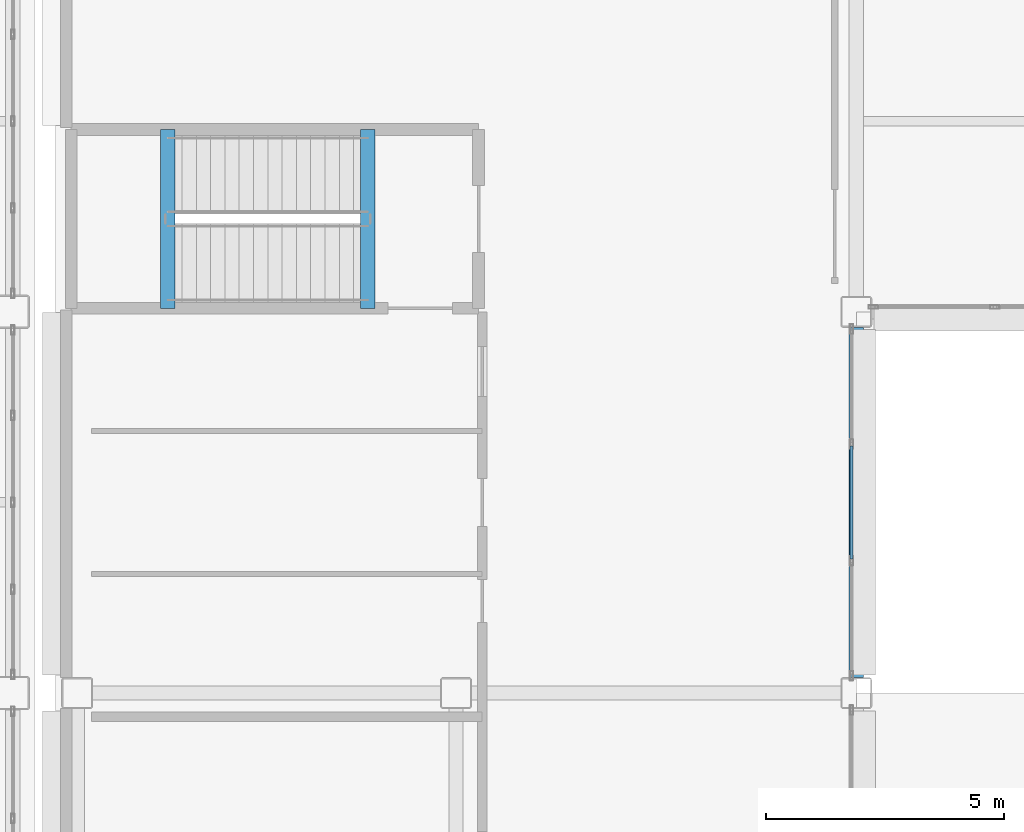
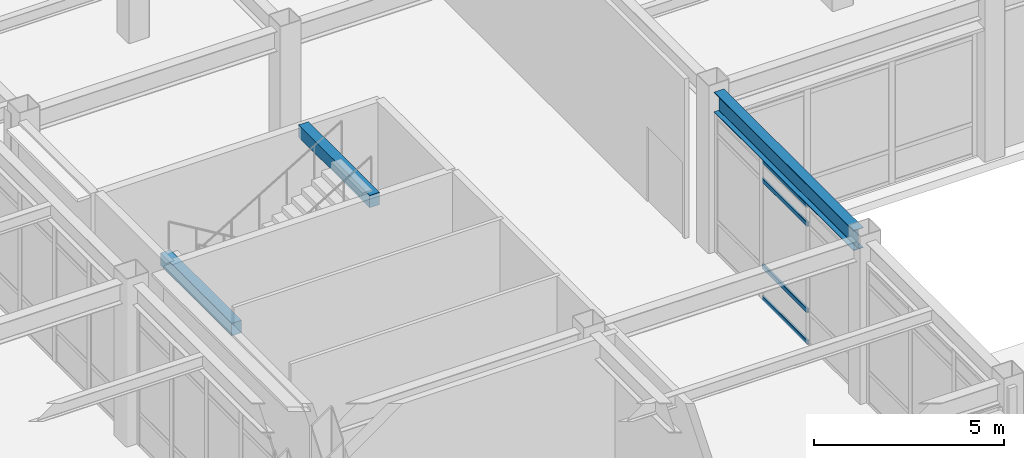
# One storey, part 37 of 165: 4 members, 3 beams, 1 element without a shape of its own.
"""IFC4 building model written with IfcOpenShell, lengths in metres."""

from ifc_helpers import new_model, si_unit, direction, frame, origin, origin_2d, place, context, subcontext, project, spatial, rectangle, hollow_rectangle, i_section, extrude, material, layer, layer_set, material_profile, profile_set, type_object, element, aggregate, save


model = new_model("IFC4")

# Units and contexts
model_context = context("Model", 3, precision=1e-05, world=origin(), true_north=direction((0.0, 1.0)))
body_context = subcontext(model_context, "Body", "Model", "MODEL_VIEW")
ifc_project = project(units=[si_unit("LENGTHUNIT", "METRE"), si_unit("AREAUNIT", "SQUARE_METRE"), si_unit("VOLUMEUNIT", "CUBIC_METRE"), si_unit("PLANEANGLEUNIT", "RADIAN"), si_unit("MASSUNIT", "GRAM", prefix="KILO")], contexts=[model_context])

# Site, building, storey
site_placement = place(None, origin())
site = spatial("IfcSite", under=ifc_project, at=site_placement, CompositionType="ELEMENT")
building_placement = place(site_placement, origin())
building = spatial("IfcBuilding", under=site, at=building_placement, Name="Kazehara Bluff Congress Hotel", CompositionType="ELEMENT")
storey_placement = place(building_placement, origin())
storey = spatial("IfcBuildingStorey", under=building, at=storey_placement, Name="L00", CompositionType="ELEMENT", Elevation=0.0)

# Curtain wall, members
ifc_material_1 = material(Name="Anodised aluminium", Category="aluminium")
ifc_layer = layer(ifc_material_1, 0.159912109375)
ifc_layer_set = layer_set([ifc_layer], Name="Anodised aluminium")
curtain_wall_type = type_object("IfcCurtainWallType", Name="TP-CW-52", PredefinedType="NOTDEFINED", material=ifc_layer_set)
curtain_wall_placement = place(storey_placement, origin())
curtain_wall = element("IfcCurtainWall", 1, at=curtain_wall_placement, inside=storey, type_object=curtain_wall_type, Name="L00 curtain wall CW-52 CW-ENC-V4-L00-7595-1200", PredefinedType="NOTDEFINED")
ifc_material_2 = material(Name="Anodised aluminium", Category="aluminium")
ifc_material_profile_1 = material_profile(ifc_material_2, hollow_rectangle(XDim=0.06494140625, YDim=0.139892578125, WallThickness=0.00390625, InnerFilletRadius=0.00390625, OuterFilletRadius=0.008056640625, at=origin_2d()))
ifc_profile_set_1 = profile_set([ifc_material_profile_1], Name="Anodised aluminium")
member_type = type_object("IfcMemberType", Name="TP-CWT-02", PredefinedType="USERDEFINED", material=ifc_profile_set_1)
member_1_placement = place(storey_placement, frame((75.949951171875, 13.18994140625, 0.032470703125), z_axis=(0.0, -1.0, 0.0), x_axis=(1.0, 0.0, 0.0)))
member_1 = element("IfcMember", 2, at=member_1_placement, type_object=member_type, Name="CW-52 transom 2.1", ObjectType="TRANSOM", PredefinedType="USERDEFINED", context=body_context, shape_type="SweptSolid", body=[
    extrude(hollow_rectangle(XDim=0.06494140625, YDim=0.139892578125, WallThickness=0.00390625, InnerFilletRadius=0.00390625, OuterFilletRadius=0.008056640625, at=origin_2d()), origin(), (0.0, 0.0, 1.0), 2.3798828125),
])
member_2_placement = place(storey_placement, frame((75.949951171875, 13.18994140625, 1.050048828125), z_axis=(0.0, -1.0, 0.0), x_axis=(1.0, 0.0, 0.0)))
member_2 = element("IfcMember", 3, at=member_2_placement, type_object=member_type, Name="CW-52 transom 2.2", ObjectType="TRANSOM", PredefinedType="USERDEFINED", context=body_context, shape_type="SweptSolid", body=[
    extrude(hollow_rectangle(XDim=0.06494140625, YDim=0.139892578125, WallThickness=0.00390625, InnerFilletRadius=0.00390625, OuterFilletRadius=0.008056640625, at=origin_2d()), origin(), (0.0, 0.0, 1.0), 2.3798828125),
])
member_3_placement = place(storey_placement, frame((75.949951171875, 13.18994140625, 3.824951171875), z_axis=(0.0, -1.0, 0.0), x_axis=(1.0, 0.0, 0.0)))
member_3 = element("IfcMember", 4, at=member_3_placement, type_object=member_type, Name="CW-52 transom 2.3", ObjectType="TRANSOM", PredefinedType="USERDEFINED", context=body_context, shape_type="SweptSolid", body=[
    extrude(hollow_rectangle(XDim=0.06494140625, YDim=0.139892578125, WallThickness=0.00390625, InnerFilletRadius=0.00390625, OuterFilletRadius=0.008056640625, at=origin_2d()), origin(), (0.0, 0.0, 1.0), 2.3798828125),
])
member_4_placement = place(storey_placement, frame((75.949951171875, 13.18994140625, 4.4423828125), z_axis=(0.0, -1.0, 0.0), x_axis=(1.0, 0.0, 0.0)))
member_4 = element("IfcMember", 5, at=member_4_placement, type_object=member_type, Name="CW-52 transom 2.4", ObjectType="TRANSOM", PredefinedType="USERDEFINED", context=body_context, shape_type="SweptSolid", body=[
    extrude(hollow_rectangle(XDim=0.06494140625, YDim=0.139892578125, WallThickness=0.00390625, InnerFilletRadius=0.00390625, OuterFilletRadius=0.008056640625, at=origin_2d()), origin(), (0.0, 0.0, 1.0), 2.3798828125),
])
aggregate(curtain_wall, [member_1, member_2, member_3, member_4])

# Beams
ifc_material_3 = material(Name="Steel SN490B", Category="steel")
ifc_material_profile_2 = material_profile(ifc_material_3, i_section(OverallWidth=0.300048828125, OverallDepth=0.64990234375, WebThickness=0.011962890625, FlangeThickness=0.02001953125, FilletRadius=0.012939453125, at=origin_2d()))
ifc_profile_set_2 = profile_set([ifc_material_profile_2], Name="Steel SN490B")
beam_type_1 = type_object("IfcBeamType", Name="TP-G-03", PredefinedType="BEAM", material=ifc_profile_set_2)
beam_placement = place(storey_placement, frame((76.050048828125, 8.324951171875, 4.824951171875), z_axis=(0.0, 1.0, 0.0), x_axis=(-1.0, 0.0, 0.0)))
element("IfcBeam", 6, at=beam_placement, inside=storey, type_object=beam_type_1, Name="L00 girder G-03 163", PredefinedType="BEAM", context=body_context, shape_type="SweptSolid", body=[
    extrude(i_section(OverallWidth=0.300048828125, OverallDepth=0.64990234375, WebThickness=0.011962890625, FlangeThickness=0.02001953125, FilletRadius=0.012939453125, at=origin_2d()), origin(), (0.0, 0.0, 1.0), 7.35009765625),
])
ifc_material_4 = material(Name="Concrete C40/50", Category="concrete")
ifc_material_profile_3 = material_profile(ifc_material_4, rectangle(XDim=0.300048828125, YDim=0.39990234375, at=origin_2d()))
ifc_profile_set_3 = profile_set([ifc_material_profile_3], Name="Concrete C40/50")
beam_type_2 = type_object("IfcBeamType", Name="TP-LN-02", PredefinedType="LINTEL", material=ifc_profile_set_3)
for number, where, z_axis, x_axis, name in (
    (7, (61.60009765625, 19.824951171875, 2.320068359375), (0.0, -1.0, 0.0), (1.0, 0.0, 0.0), "L00 ST-08 half-landing support beam 1"),
    (8, (65.800048828125, 19.824951171875, 4.969970703125), (0.0, -1.0, 0.0), (1.0, 0.0, 0.0), "L01 ST-08 stairwell trimmer beam"),
):
    element("IfcBeam", number, at=place(storey_placement, frame(where, z_axis=z_axis, x_axis=x_axis)), inside=storey, type_object=beam_type_2, Name=name, PredefinedType="LINTEL", context=body_context, shape_type="SweptSolid", body=[
        extrude(rectangle(XDim=0.300048828125, YDim=0.39990234375, at=origin_2d()), origin(), (0.0, 0.0, 1.0), 3.75),
    ])

save(model, "model.ifc")
